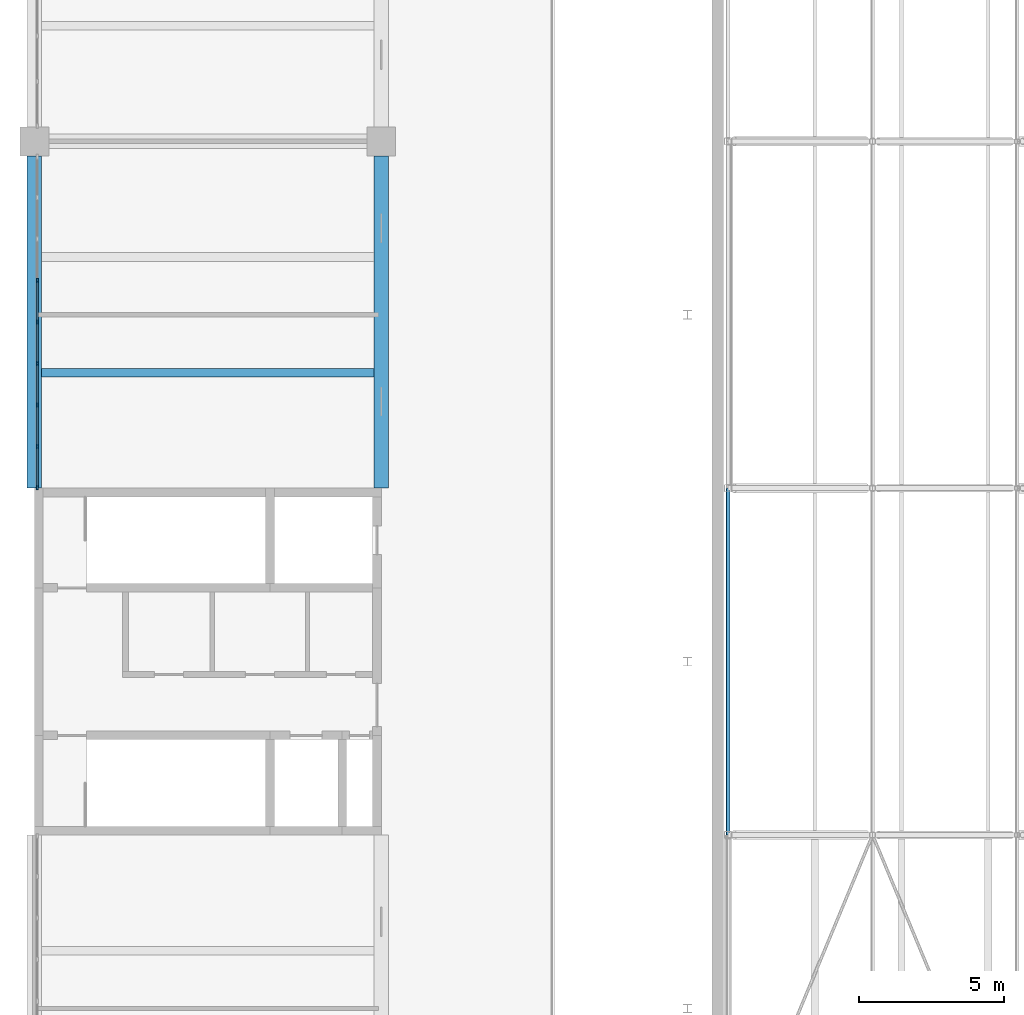
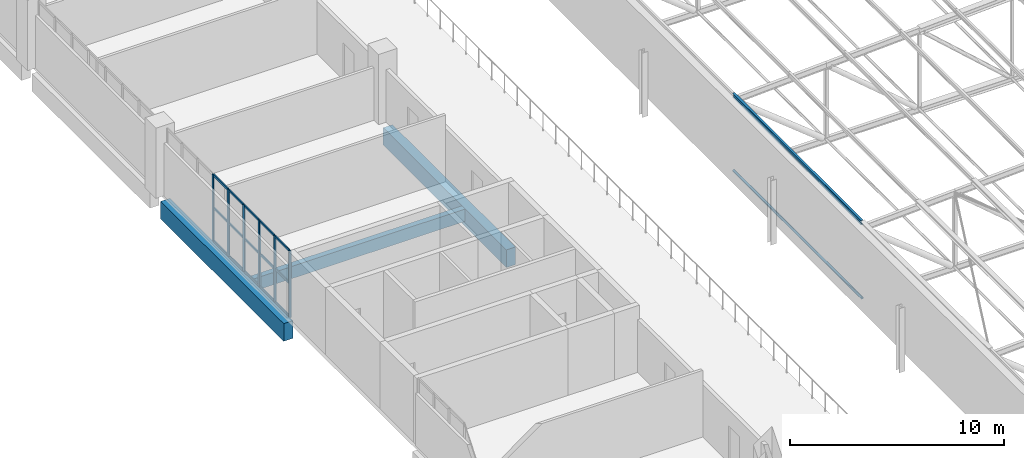
# One storey, part 50 of 156: 23 members, 3 beams, 1 element without a shape of its own.
"""IFC4 building model written with IfcOpenShell, lengths in metres."""

from ifc_helpers import new_model, si_unit, direction, frame, origin, origin_2d, place, context, subcontext, project, spatial, rectangle, hollow_circle, i_section, extrude, material, layer, layer_set, material_profile, profile_set, type_object, element, aggregate, save


model = new_model("IFC4")

# Units and contexts
model_context = context("Model", 3, precision=1e-05, world=origin(), true_north=direction((0.0, 1.0)))
body_context = subcontext(model_context, "Body", "Model", "MODEL_VIEW")
ifc_project = project(units=[si_unit("LENGTHUNIT", "METRE"), si_unit("AREAUNIT", "SQUARE_METRE"), si_unit("VOLUMEUNIT", "CUBIC_METRE"), si_unit("PLANEANGLEUNIT", "RADIAN"), si_unit("MASSUNIT", "GRAM", prefix="KILO")], contexts=[model_context])

# Site, building, storey
site_placement = place(None, origin())
site = spatial("IfcSite", under=ifc_project, at=site_placement, CompositionType="ELEMENT")
building_placement = place(site_placement, origin())
building = spatial("IfcBuilding", under=site, at=building_placement, Name="Lilac Gate Convention Centre", CompositionType="ELEMENT")
storey_placement = place(building_placement, frame((0.0, 0.0, 17.0)))
storey = spatial("IfcBuildingStorey", under=building, at=storey_placement, Name="L03", CompositionType="ELEMENT", Elevation=17.0)

# Member
ifc_material_1 = material(Name="Steel Q355B", Category="steel")
ifc_material_profile_1 = material_profile(ifc_material_1, hollow_circle(Radius=0.06982421875, WallThickness=0.0048828125, at=origin_2d()), Name="CHS139.7x5")
ifc_profile_set_1 = profile_set([ifc_material_profile_1], Name="Steel Q355B")
member_type_1 = type_object("IfcMemberType", Name="Bottom chord tie CHS139.7x5", PredefinedType="STRUT", material=ifc_profile_set_1)
member_1_placement = place(storey_placement, frame((30.0, 90.00341796875, 0.0), z_axis=(0.0, 1.0, 0.0), x_axis=(-1.0, 0.0, 0.0)))
element("IfcMember", 1, at=member_1_placement, inside=storey, type_object=member_type_1, Name="ST1 tie bay 6 node 1", PredefinedType="STRUT", context=body_context, shape_type="SweptSolid", body=[
    extrude(hollow_circle(Radius=0.06982421875, WallThickness=0.0048828125, at=origin_2d()), origin(), (0.0, 0.0, 1.0), 11.9931640625),
])

# Curtain wall, members
ifc_material_2 = material(Name="Aluminium framed double glazing", Category="aluminium")
ifc_layer = layer(ifc_material_2, 0.199951171875)
ifc_layer_set = layer_set([ifc_layer], Name="Aluminium framed double glazing")
curtain_wall_type = type_object("IfcCurtainWallType", Name="Unitised curtain wall 1500", PredefinedType="NOTDEFINED", material=ifc_layer_set)
curtain_wall_placement = place(storey_placement, origin())
curtain_wall = element("IfcCurtainWall", 2, at=curtain_wall_placement, inside=storey, type_object=curtain_wall_type, Name="Curtain wall PW L03 8", PredefinedType="NOTDEFINED")
ifc_material_3 = material(Name="Aluminium alloy 6063", Category="aluminium")
ifc_material_profile_2 = material_profile(ifc_material_3, rectangle(XDim=0.06005859375, YDim=0.159912109375, at=origin_2d()), Name="Curtain wall mullion 60 x 160")
ifc_profile_set_2 = profile_set([ifc_material_profile_2], Name="Aluminium alloy 6063")
member_type_2 = type_object("IfcMemberType", Name="Curtain wall mullion 60 x 160", PredefinedType="MULLION", material=ifc_profile_set_2)
member_2_placement = place(storey_placement, frame((6.10009765625, 109.1875, 0.0), z_axis=(0.0, 0.0, 1.0), x_axis=(1.0, 0.0, 0.0)))
member_2 = element("IfcMember", 3, at=member_2_placement, type_object=member_type_2, Name="CW mullion 4", PredefinedType="MULLION", context=body_context, shape_type="SweptSolid", body=[
    extrude(rectangle(XDim=0.06005859375, YDim=0.159912109375, at=origin_2d()), origin(), (0.0, 0.0, 1.0), 3.800048828125),
])
member_3_placement = place(storey_placement, frame((6.10009765625, 107.75, 0.0), z_axis=(0.0, 0.0, 1.0), x_axis=(1.0, 0.0, 0.0)))
member_3 = element("IfcMember", 4, at=member_3_placement, type_object=member_type_2, Name="CW mullion 5", PredefinedType="MULLION", context=body_context, shape_type="SweptSolid", body=[
    extrude(rectangle(XDim=0.06005859375, YDim=0.159912109375, at=origin_2d()), origin(), (0.0, 0.0, 1.0), 3.800048828125),
])
member_4_placement = place(storey_placement, frame((6.10009765625, 106.3125, 0.0), z_axis=(0.0, 0.0, 1.0), x_axis=(1.0, 0.0, 0.0)))
member_4 = element("IfcMember", 5, at=member_4_placement, type_object=member_type_2, Name="CW mullion 6", PredefinedType="MULLION", context=body_context, shape_type="SweptSolid", body=[
    extrude(rectangle(XDim=0.06005859375, YDim=0.159912109375, at=origin_2d()), origin(), (0.0, 0.0, 1.0), 3.800048828125),
])
member_5_placement = place(storey_placement, frame((6.10009765625, 104.875, 0.0), z_axis=(0.0, 0.0, 1.0), x_axis=(1.0, 0.0, 0.0)))
member_5 = element("IfcMember", 6, at=member_5_placement, type_object=member_type_2, Name="CW mullion 7", PredefinedType="MULLION", context=body_context, shape_type="SweptSolid", body=[
    extrude(rectangle(XDim=0.06005859375, YDim=0.159912109375, at=origin_2d()), origin(), (0.0, 0.0, 1.0), 3.800048828125),
])
member_6_placement = place(storey_placement, frame((6.10009765625, 103.4375, 0.0), z_axis=(0.0, 0.0, 1.0), x_axis=(1.0, 0.0, 0.0)))
member_6 = element("IfcMember", 7, at=member_6_placement, type_object=member_type_2, Name="CW mullion 8", PredefinedType="MULLION", context=body_context, shape_type="SweptSolid", body=[
    extrude(rectangle(XDim=0.06005859375, YDim=0.159912109375, at=origin_2d()), origin(), (0.0, 0.0, 1.0), 3.800048828125),
])
member_7_placement = place(storey_placement, frame((6.10009765625, 102.030029296875, 0.0), z_axis=(0.0, 0.0, 1.0), x_axis=(1.0, 0.0, 0.0)))
member_7 = element("IfcMember", 8, at=member_7_placement, type_object=member_type_2, Name="CW mullion 9", PredefinedType="MULLION", context=body_context, shape_type="SweptSolid", body=[
    extrude(rectangle(XDim=0.06005859375, YDim=0.159912109375, at=origin_2d()), origin(), (0.0, 0.0, 1.0), 3.800048828125),
])
ifc_material_profile_3 = material_profile(ifc_material_3, rectangle(XDim=0.06005859375, YDim=0.1201171875, at=origin_2d()), Name="Curtain wall transom 60 x 120")
ifc_profile_set_3 = profile_set([ifc_material_profile_3], Name="Aluminium alloy 6063")
member_type_3 = type_object("IfcMemberType", Name="Curtain wall transom 60 x 120", PredefinedType="USERDEFINED", material=ifc_profile_set_3)
member_8_placement = place(storey_placement, frame((6.10009765625, 109.157470703125, 0.030029296875), z_axis=(0.0, -1.0, 0.0), x_axis=(1.0, 0.0, 0.0)))
member_8 = element("IfcMember", 9, at=member_8_placement, type_object=member_type_3, Name="CW transom 4.1", ObjectType="TRANSOM", PredefinedType="USERDEFINED", context=body_context, shape_type="SweptSolid", body=[
    extrude(rectangle(XDim=0.06005859375, YDim=0.1201171875, at=origin_2d()), origin(), (0.0, 0.0, 1.0), 1.37744140625),
])
member_9_placement = place(storey_placement, frame((6.10009765625, 109.157470703125, 1.89990234375), z_axis=(0.0, -1.0, 0.0), x_axis=(1.0, 0.0, 0.0)))
member_9 = element("IfcMember", 10, at=member_9_placement, type_object=member_type_3, Name="CW transom 4.2", ObjectType="TRANSOM", PredefinedType="USERDEFINED", context=body_context, shape_type="SweptSolid", body=[
    extrude(rectangle(XDim=0.06005859375, YDim=0.1201171875, at=origin_2d()), origin(), (0.0, 0.0, 1.0), 1.37744140625),
])
member_10_placement = place(storey_placement, frame((6.10009765625, 109.157470703125, 3.77001953125), z_axis=(0.0, -1.0, 0.0), x_axis=(1.0, 0.0, 0.0)))
member_10 = element("IfcMember", 11, at=member_10_placement, type_object=member_type_3, Name="CW transom 4.3", ObjectType="TRANSOM", PredefinedType="USERDEFINED", context=body_context, shape_type="SweptSolid", body=[
    extrude(rectangle(XDim=0.06005859375, YDim=0.1201171875, at=origin_2d()), origin(), (0.0, 0.0, 1.0), 1.37744140625),
])
member_11_placement = place(storey_placement, frame((6.10009765625, 107.719970703125, 0.030029296875), z_axis=(0.0, -1.0, 0.0), x_axis=(1.0, 0.0, 0.0)))
member_11 = element("IfcMember", 12, at=member_11_placement, type_object=member_type_3, Name="CW transom 5.1", ObjectType="TRANSOM", PredefinedType="USERDEFINED", context=body_context, shape_type="SweptSolid", body=[
    extrude(rectangle(XDim=0.06005859375, YDim=0.1201171875, at=origin_2d()), origin(), (0.0, 0.0, 1.0), 1.37744140625),
])
member_12_placement = place(storey_placement, frame((6.10009765625, 107.719970703125, 1.89990234375), z_axis=(0.0, -1.0, 0.0), x_axis=(1.0, 0.0, 0.0)))
member_12 = element("IfcMember", 13, at=member_12_placement, type_object=member_type_3, Name="CW transom 5.2", ObjectType="TRANSOM", PredefinedType="USERDEFINED", context=body_context, shape_type="SweptSolid", body=[
    extrude(rectangle(XDim=0.06005859375, YDim=0.1201171875, at=origin_2d()), origin(), (0.0, 0.0, 1.0), 1.37744140625),
])
member_13_placement = place(storey_placement, frame((6.10009765625, 107.719970703125, 3.77001953125), z_axis=(0.0, -1.0, 0.0), x_axis=(1.0, 0.0, 0.0)))
member_13 = element("IfcMember", 14, at=member_13_placement, type_object=member_type_3, Name="CW transom 5.3", ObjectType="TRANSOM", PredefinedType="USERDEFINED", context=body_context, shape_type="SweptSolid", body=[
    extrude(rectangle(XDim=0.06005859375, YDim=0.1201171875, at=origin_2d()), origin(), (0.0, 0.0, 1.0), 1.37744140625),
])
member_14_placement = place(storey_placement, frame((6.10009765625, 106.282470703125, 0.030029296875), z_axis=(0.0, -1.0, 0.0), x_axis=(1.0, 0.0, 0.0)))
member_14 = element("IfcMember", 15, at=member_14_placement, type_object=member_type_3, Name="CW transom 6.1", ObjectType="TRANSOM", PredefinedType="USERDEFINED", context=body_context, shape_type="SweptSolid", body=[
    extrude(rectangle(XDim=0.06005859375, YDim=0.1201171875, at=origin_2d()), origin(), (0.0, 0.0, 1.0), 1.37744140625),
])
member_15_placement = place(storey_placement, frame((6.10009765625, 106.282470703125, 1.89990234375), z_axis=(0.0, -1.0, 0.0), x_axis=(1.0, 0.0, 0.0)))
member_15 = element("IfcMember", 16, at=member_15_placement, type_object=member_type_3, Name="CW transom 6.2", ObjectType="TRANSOM", PredefinedType="USERDEFINED", context=body_context, shape_type="SweptSolid", body=[
    extrude(rectangle(XDim=0.06005859375, YDim=0.1201171875, at=origin_2d()), origin(), (0.0, 0.0, 1.0), 1.37744140625),
])
member_16_placement = place(storey_placement, frame((6.10009765625, 106.282470703125, 3.77001953125), z_axis=(0.0, -1.0, 0.0), x_axis=(1.0, 0.0, 0.0)))
member_16 = element("IfcMember", 17, at=member_16_placement, type_object=member_type_3, Name="CW transom 6.3", ObjectType="TRANSOM", PredefinedType="USERDEFINED", context=body_context, shape_type="SweptSolid", body=[
    extrude(rectangle(XDim=0.06005859375, YDim=0.1201171875, at=origin_2d()), origin(), (0.0, 0.0, 1.0), 1.37744140625),
])
member_17_placement = place(storey_placement, frame((6.10009765625, 104.844970703125, 0.030029296875), z_axis=(0.0, -1.0, 0.0), x_axis=(1.0, 0.0, 0.0)))
member_17 = element("IfcMember", 18, at=member_17_placement, type_object=member_type_3, Name="CW transom 7.1", ObjectType="TRANSOM", PredefinedType="USERDEFINED", context=body_context, shape_type="SweptSolid", body=[
    extrude(rectangle(XDim=0.06005859375, YDim=0.1201171875, at=origin_2d()), origin(), (0.0, 0.0, 1.0), 1.37744140625),
])
member_18_placement = place(storey_placement, frame((6.10009765625, 104.844970703125, 1.89990234375), z_axis=(0.0, -1.0, 0.0), x_axis=(1.0, 0.0, 0.0)))
member_18 = element("IfcMember", 19, at=member_18_placement, type_object=member_type_3, Name="CW transom 7.2", ObjectType="TRANSOM", PredefinedType="USERDEFINED", context=body_context, shape_type="SweptSolid", body=[
    extrude(rectangle(XDim=0.06005859375, YDim=0.1201171875, at=origin_2d()), origin(), (0.0, 0.0, 1.0), 1.37744140625),
])
member_19_placement = place(storey_placement, frame((6.10009765625, 104.844970703125, 3.77001953125), z_axis=(0.0, -1.0, 0.0), x_axis=(1.0, 0.0, 0.0)))
member_19 = element("IfcMember", 20, at=member_19_placement, type_object=member_type_3, Name="CW transom 7.3", ObjectType="TRANSOM", PredefinedType="USERDEFINED", context=body_context, shape_type="SweptSolid", body=[
    extrude(rectangle(XDim=0.06005859375, YDim=0.1201171875, at=origin_2d()), origin(), (0.0, 0.0, 1.0), 1.37744140625),
])
member_20_placement = place(storey_placement, frame((6.10009765625, 103.407470703125, 0.030029296875), z_axis=(0.0, -1.0, 0.0), x_axis=(1.0, 0.0, 0.0)))
member_20 = element("IfcMember", 21, at=member_20_placement, type_object=member_type_3, Name="CW transom 8.1", ObjectType="TRANSOM", PredefinedType="USERDEFINED", context=body_context, shape_type="SweptSolid", body=[
    extrude(rectangle(XDim=0.06005859375, YDim=0.1201171875, at=origin_2d()), origin(), (0.0, 0.0, 1.0), 1.347412109375),
])
member_21_placement = place(storey_placement, frame((6.10009765625, 103.407470703125, 1.89990234375), z_axis=(0.0, -1.0, 0.0), x_axis=(1.0, 0.0, 0.0)))
member_21 = element("IfcMember", 22, at=member_21_placement, type_object=member_type_3, Name="CW transom 8.2", ObjectType="TRANSOM", PredefinedType="USERDEFINED", context=body_context, shape_type="SweptSolid", body=[
    extrude(rectangle(XDim=0.06005859375, YDim=0.1201171875, at=origin_2d()), origin(), (0.0, 0.0, 1.0), 1.347412109375),
])
member_22_placement = place(storey_placement, frame((6.10009765625, 103.407470703125, 3.77001953125), z_axis=(0.0, -1.0, 0.0), x_axis=(1.0, 0.0, 0.0)))
member_22 = element("IfcMember", 23, at=member_22_placement, type_object=member_type_3, Name="CW transom 8.3", ObjectType="TRANSOM", PredefinedType="USERDEFINED", context=body_context, shape_type="SweptSolid", body=[
    extrude(rectangle(XDim=0.06005859375, YDim=0.1201171875, at=origin_2d()), origin(), (0.0, 0.0, 1.0), 1.347412109375),
])
aggregate(curtain_wall, [member_2, member_3, member_4, member_5, member_6, member_7, member_8, member_9, member_10, member_11, member_12, member_13, member_14, member_15, member_16, member_17, member_18, member_19, member_20, member_21, member_22])

# Beams
ifc_material_4 = material(Name="Concrete C40", Category="concrete")
ifc_material_profile_4 = material_profile(ifc_material_4, rectangle(XDim=0.5, YDim=1.0, at=origin_2d()), Name="RC 500x1000")
ifc_profile_set_4 = profile_set([ifc_material_profile_4], Name="Concrete C40")
beam_type_1 = type_object("IfcBeamType", Name="Primary beam 500x1000 C40", PredefinedType="BEAM", material=ifc_profile_set_4)
for number, where, z_axis, x_axis, name in (
    (24, (6.0, 102.0, -0.75), (0.0, 1.0, 0.0), (-1.0, 0.0, 0.0), "RB1 L03 1/G-1/H"),
    (25, (18.0, 102.0, -0.75), (0.0, 1.0, 0.0), (-1.0, 0.0, 0.0), "RB1 L03 2/G-2/H"),
):
    element("IfcBeam", number, at=place(storey_placement, frame(where, z_axis=z_axis, x_axis=x_axis)), inside=storey, type_object=beam_type_1, Name=name, PredefinedType="BEAM", context=body_context, shape_type="SweptSolid", body=[
        extrude(rectangle(XDim=0.5, YDim=1.0, at=origin_2d()), origin(), (0.0, 0.0, 1.0), 11.5),
    ])

# Member
ifc_material_profile_5 = material_profile(ifc_material_1, i_section(OverallWidth=0.125, OverallDepth=0.25, WebThickness=0.006103515625, FlangeThickness=0.009033203125, FilletRadius=0.008056640625, at=origin_2d()), Name="HN250x125x6x9")
ifc_profile_set_5 = profile_set([ifc_material_profile_5], Name="Steel Q355B")
member_type_4 = type_object("IfcMemberType", Name="Roof purlin HN250x125x6x9", PredefinedType="PURLIN", material=ifc_profile_set_5)
member_23_placement = place(storey_placement, frame((30.0, 90.0, 4.30029296875), z_axis=(0.0, 1.0, 0.0), x_axis=(-1.0, 0.0, 0.0)))
element("IfcMember", 26, at=member_23_placement, inside=storey, type_object=member_type_4, Name="PU2 purlin bay 6 line 1", PredefinedType="PURLIN", context=body_context, shape_type="SweptSolid", body=[
    extrude(i_section(OverallWidth=0.125, OverallDepth=0.25, WebThickness=0.006103515625, FlangeThickness=0.009033203125, FilletRadius=0.008056640625, at=origin_2d()), origin(), (0.0, 0.0, 1.0), 12.0),
])

# Beam
ifc_material_profile_6 = material_profile(ifc_material_4, rectangle(XDim=0.300048828125, YDim=0.699951171875, at=origin_2d()), Name="RC 300x700")
ifc_profile_set_6 = profile_set([ifc_material_profile_6], Name="Concrete C40")
beam_type_2 = type_object("IfcBeamType", Name="Secondary beam 300x700 C40", PredefinedType="BEAM", material=ifc_profile_set_6)
beam_placement = place(storey_placement, frame((6.25, 106.0, -0.60009765625), z_axis=(1.0, 0.0, 0.0), x_axis=(0.0, 1.0, 0.0)))
element("IfcBeam", 27, at=beam_placement, inside=storey, type_object=beam_type_2, Name="RB2 L03 bay 1/G", PredefinedType="BEAM", context=body_context, shape_type="SweptSolid", body=[
    extrude(rectangle(XDim=0.300048828125, YDim=0.699951171875, at=origin_2d()), origin(), (0.0, 0.0, 1.0), 11.5),
])

save(model, "model.ifc")
